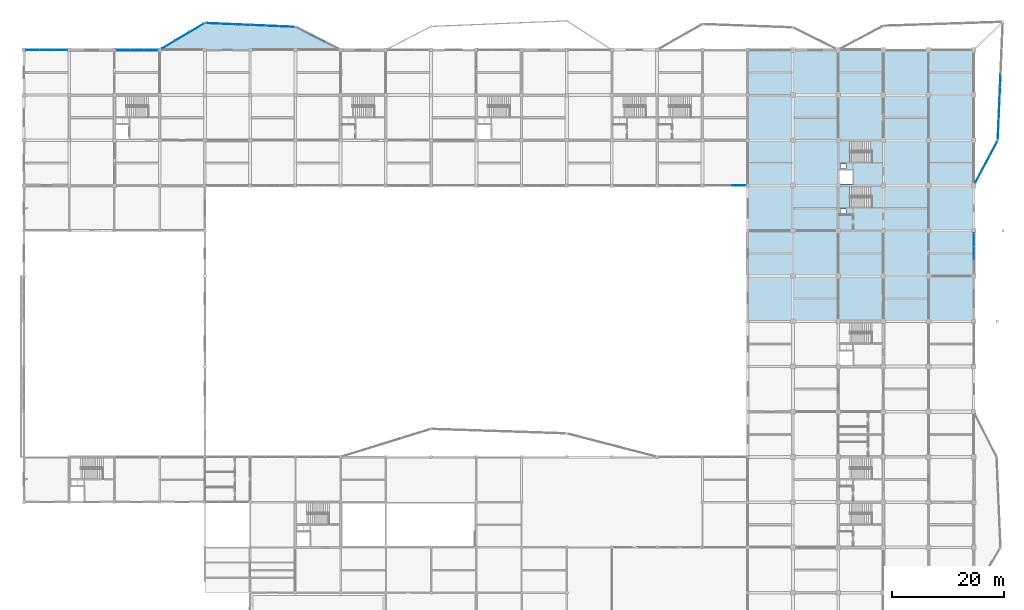
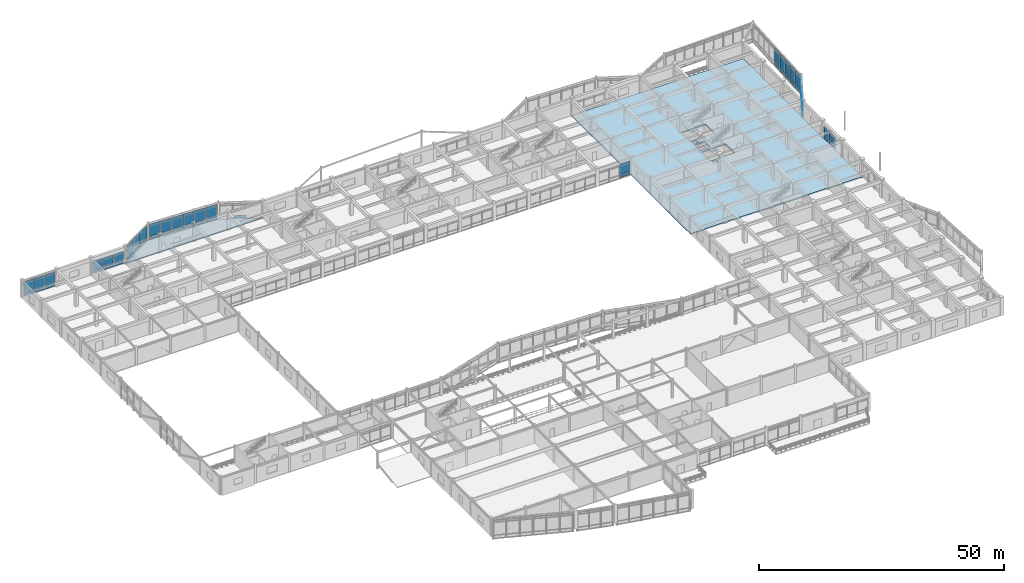
# One storey, part 56 of 93: 53 plates, 4 slabs, 13 elements without a shape of their own.
"""IFC4 building model written with IfcOpenShell, lengths in metres."""

from ifc_helpers import new_model, si_unit, direction, frame, origin, origin_2d, place, context, subcontext, project, spatial, polyline, rectangle, outline, extrude, material, layer, layer_set, type_object, element, aggregate, save


model = new_model("IFC4")

# Units and contexts
model_context = context("Model", 3, precision=1e-05, world=origin(), true_north=direction((0.0, 1.0)))
body_context = subcontext(model_context, "Body", "Model", "MODEL_VIEW")
ifc_project = project(units=[si_unit("LENGTHUNIT", "METRE"), si_unit("AREAUNIT", "SQUARE_METRE"), si_unit("VOLUMEUNIT", "CUBIC_METRE"), si_unit("PLANEANGLEUNIT", "RADIAN"), si_unit("MASSUNIT", "GRAM", prefix="KILO")], contexts=[model_context])

# Site, building, storey
site_placement = place(None, origin())
site = spatial("IfcSite", under=ifc_project, at=site_placement, CompositionType="ELEMENT")
building_placement = place(site_placement, origin())
building = spatial("IfcBuilding", under=site, at=building_placement, Name="Vaudrelin Polytechnic", CompositionType="ELEMENT")
storey_placement = place(building_placement, frame((0.0, 0.0, 5.10009765625)))
storey = spatial("IfcBuildingStorey", under=building, at=storey_placement, Name="L01", CompositionType="ELEMENT", Elevation=5.10009765625)

# Curtain wall, plates
ifc_material_1 = material(Name="Thermally broken anodised aluminium AA 6063-T6 and low-e triple glazing", Category="aluminium")
ifc_layer_1 = layer(ifc_material_1, 0.199951171875)
ifc_layer_set_1 = layer_set([ifc_layer_1], Name="Thermally broken anodised aluminium AA 6063-T6 and low-e triple glazing")
curtain_wall_type_1 = type_object("IfcCurtainWallType", Name="CW-CW-STU", PredefinedType="USERDEFINED", material=ifc_layer_set_1)
curtain_wall_1_placement = place(storey_placement, origin())
curtain_wall_1 = element("IfcCurtainWall", 1, at=curtain_wall_1_placement, inside=storey, type_object=curtain_wall_type_1, Name="Curtain wall L01 N_V5_00", ObjectType="CURTAIN WALL", PredefinedType="USERDEFINED")
ifc_material_2 = material(Name="Insulated ceramic-frit spandrel glass panel", Category="glass")
ifc_layer_2 = layer(ifc_material_2, 0.052001953125)
ifc_layer_set_2 = layer_set([ifc_layer_2], Name="Insulated ceramic-frit spandrel glass panel")
plate_type_1 = type_object("IfcPlateType", Name="PLT-GLZ-SPAND", PredefinedType="CURTAIN_PANEL", material=ifc_layer_set_2)
plate_1_placement = place(storey_placement, frame((1.565185546875, 121.5, 0.08984375), z_axis=(0.0, 0.0, 1.0), x_axis=(1.0, 0.0, 0.0)))
plate_1 = element("IfcPlate", 2, at=plate_1_placement, type_object=plate_type_1, Name="N_V5_00 spandrel panel 1", PredefinedType="CURTAIN_PANEL", context=body_context, shape_type="SweptSolid", body=[
    extrude(rectangle(XDim=2.384765625, YDim=0.052001953125, at=origin_2d()), origin(), (0.0, 0.0, 1.0), 0.699951171875),
])
plate_2_placement = place(storey_placement, frame((4.050048828125, 121.5, 0.08984375), z_axis=(0.0, 0.0, 1.0), x_axis=(1.0, 0.0, 0.0)))
plate_2 = element("IfcPlate", 3, at=plate_2_placement, type_object=plate_type_1, Name="N_V5_00 spandrel panel 2", PredefinedType="CURTAIN_PANEL", context=body_context, shape_type="SweptSolid", body=[
    extrude(rectangle(XDim=2.384765625, YDim=0.052001953125, at=origin_2d()), origin(), (0.0, 0.0, 1.0), 0.699951171875),
])
plate_3_placement = place(storey_placement, frame((6.53466796875, 121.5, 0.08984375), z_axis=(0.0, 0.0, 1.0), x_axis=(1.0, 0.0, 0.0)))
plate_3 = element("IfcPlate", 4, at=plate_3_placement, type_object=plate_type_1, Name="N_V5_00 spandrel panel 3", PredefinedType="CURTAIN_PANEL", context=body_context, shape_type="SweptSolid", body=[
    extrude(rectangle(XDim=2.384765625, YDim=0.052001953125, at=origin_2d()), origin(), (0.0, 0.0, 1.0), 0.699951171875),
])

curtain_wall_2_placement = place(storey_placement, origin())
curtain_wall_2 = element("IfcCurtainWall", 5, at=curtain_wall_2_placement, inside=storey, type_object=curtain_wall_type_1, Name="Curtain wall L01 N_V5_02", ObjectType="CURTAIN WALL", PredefinedType="USERDEFINED")
plate_4_placement = place(storey_placement, frame((17.765380859375, 121.5, 0.08984375), z_axis=(0.0, 0.0, 1.0), x_axis=(1.0, 0.0, 0.0)))
plate_4 = element("IfcPlate", 6, at=plate_4_placement, type_object=plate_type_1, Name="N_V5_02 spandrel panel 1", PredefinedType="CURTAIN_PANEL", context=body_context, shape_type="SweptSolid", body=[
    extrude(rectangle(XDim=2.384765625, YDim=0.052001953125, at=origin_2d()), origin(), (0.0, 0.0, 1.0), 0.699951171875),
])
plate_5_placement = place(storey_placement, frame((20.25, 121.5, 0.08984375), z_axis=(0.0, 0.0, 1.0), x_axis=(1.0, 0.0, 0.0)))
plate_5 = element("IfcPlate", 7, at=plate_5_placement, type_object=plate_type_1, Name="N_V5_02 spandrel panel 2", PredefinedType="CURTAIN_PANEL", context=body_context, shape_type="SweptSolid", body=[
    extrude(rectangle(XDim=2.384765625, YDim=0.052001953125, at=origin_2d()), origin(), (0.0, 0.0, 1.0), 0.699951171875),
])
plate_6_placement = place(storey_placement, frame((22.734619140625, 121.5, 0.08984375), z_axis=(0.0, 0.0, 1.0), x_axis=(1.0, 0.0, 0.0)))
plate_6 = element("IfcPlate", 8, at=plate_6_placement, type_object=plate_type_1, Name="N_V5_02 spandrel panel 3", PredefinedType="CURTAIN_PANEL", context=body_context, shape_type="SweptSolid", body=[
    extrude(rectangle(XDim=2.384765625, YDim=0.052001953125, at=origin_2d()), origin(), (0.0, 0.0, 1.0), 0.699951171875),
])

ifc_layer_3 = layer(ifc_material_1, 0.199951171875)
ifc_layer_set_3 = layer_set([ifc_layer_3], Name="Thermally broken anodised aluminium AA 6063-T6 and low-e triple glazing")
curtain_wall_type_2 = type_object("IfcCurtainWallType", Name="CW-CW-LAB", PredefinedType="USERDEFINED", material=ifc_layer_set_3)
curtain_wall_3_placement = place(storey_placement, origin())
curtain_wall_3 = element("IfcCurtainWall", 9, at=curtain_wall_3_placement, inside=storey, type_object=curtain_wall_type_2, Name="Curtain wall L01 E_V4_08", ObjectType="CURTAIN WALL", PredefinedType="USERDEFINED")
plate_7_placement = place(storey_placement, frame((170.10009765625, 85.050048828125, 0.08984375), z_axis=(0.0, 0.0, 1.0), x_axis=(0.0, 1.0, 0.0)))
plate_7 = element("IfcPlate", 10, at=plate_7_placement, type_object=plate_type_1, Name="E_V4_08 spandrel panel 2", PredefinedType="CURTAIN_PANEL", context=body_context, shape_type="SweptSolid", body=[
    extrude(rectangle(XDim=2.318115234375, YDim=0.052001953125, at=origin_2d()), origin(), (0.0, 0.0, 1.0), 0.699951171875),
])
plate_8_placement = place(storey_placement, frame((170.10009765625, 87.468017578125, 0.08984375), z_axis=(0.0, 0.0, 1.0), x_axis=(0.0, 1.0, 0.0)))
plate_8 = element("IfcPlate", 11, at=plate_8_placement, type_object=plate_type_1, Name="E_V4_08 spandrel panel 3", PredefinedType="CURTAIN_PANEL", context=body_context, shape_type="SweptSolid", body=[
    extrude(rectangle(XDim=2.318115234375, YDim=0.052001953125, at=origin_2d()), origin(), (0.0, 0.0, 1.0), 0.699951171875),
])

# Curtain wall, plate
ifc_layer_4 = layer(ifc_material_1, 0.199951171875)
ifc_layer_set_4 = layer_set([ifc_layer_4], Name="Thermally broken anodised aluminium AA 6063-T6 and low-e triple glazing")
curtain_wall_type_3 = type_object("IfcCurtainWallType", Name="CW-CW-LIB", PredefinedType="USERDEFINED", material=ifc_layer_set_4)
curtain_wall_4_placement = place(storey_placement, origin())
curtain_wall_4 = element("IfcCurtainWall", 12, at=curtain_wall_4_placement, inside=storey, type_object=curtain_wall_type_3, Name="Curtain wall L01 CT_N_11", ObjectType="CURTAIN WALL", PredefinedType="USERDEFINED")
plate_9_placement = place(storey_placement, frame((128.03466796875, 97.199951171875, 0.08984375), z_axis=(0.0, 0.0, 1.0), x_axis=(1.0, 0.0, 0.0)))
plate_9 = element("IfcPlate", 13, at=plate_9_placement, type_object=plate_type_1, Name="CT_N_11 spandrel panel 3", PredefinedType="CURTAIN_PANEL", context=body_context, shape_type="SweptSolid", body=[
    extrude(rectangle(XDim=2.384765625, YDim=0.052001953125, at=origin_2d()), origin(), (0.0, 0.0, 1.0), 0.699951171875),
])

# Curtain wall, plates
curtain_wall_5_placement = place(storey_placement, origin())
curtain_wall_5 = element("IfcCurtainWall", 14, at=curtain_wall_5_placement, inside=storey, type_object=curtain_wall_type_2, Name="Curtain wall L01 NEP_3_1", ObjectType="CURTAIN WALL", PredefinedType="USERDEFINED")
plate_10_placement = place(storey_placement, frame((174.84912109375, 115.874755859375, -0.5400390625), z_axis=(0.0, 0.0, 1.0), x_axis=(-0.042405411318, -0.999100485983, 0.0)))
plate_10 = element("IfcPlate", 15, at=plate_10_placement, type_object=plate_type_1, Name="NEP_3_1 spandrel panel 2", PredefinedType="CURTAIN_PANEL", context=body_context, shape_type="SweptSolid", body=[
    extrude(rectangle(XDim=2.19921875, YDim=0.052001953125, at=origin_2d()), origin(), (0.0, 0.0, 1.0), 0.699951171875),
])
plate_11_placement = place(storey_placement, frame((174.75146484375, 113.577392578125, -0.5400390625), z_axis=(0.0, 0.0, 1.0), x_axis=(-0.042405411318, -0.999100485983, 0.0)))
plate_11 = element("IfcPlate", 16, at=plate_11_placement, type_object=plate_type_1, Name="NEP_3_1 spandrel panel 3", PredefinedType="CURTAIN_PANEL", context=body_context, shape_type="SweptSolid", body=[
    extrude(rectangle(XDim=2.19921875, YDim=0.052001953125, at=origin_2d()), origin(), (0.0, 0.0, 1.0), 0.699951171875),
])

curtain_wall_6_placement = place(storey_placement, origin())
curtain_wall_6 = element("IfcCurtainWall", 17, at=curtain_wall_6_placement, inside=storey, type_object=curtain_wall_type_2, Name="Curtain wall L01 NEP_3_2", ObjectType="CURTAIN WALL", PredefinedType="USERDEFINED")
plate_12_placement = place(storey_placement, frame((174.65380859375, 111.2802734375, -0.5400390625), z_axis=(0.0, 0.0, 1.0), x_axis=(-0.042419882824, -0.999099871655, 0.0)))
plate_12 = element("IfcPlate", 18, at=plate_12_placement, type_object=plate_type_1, Name="NEP_3_2 spandrel panel 1", PredefinedType="CURTAIN_PANEL", context=body_context, shape_type="SweptSolid", body=[
    extrude(rectangle(XDim=2.19921875, YDim=0.052001953125, at=origin_2d()), origin(), (0.0, 0.0, 1.0), 0.699951171875),
])
plate_13_placement = place(storey_placement, frame((174.556396484375, 108.983154296875, -0.5400390625), z_axis=(0.0, 0.0, 1.0), x_axis=(-0.042419882824, -0.999099871655, 0.0)))
plate_13 = element("IfcPlate", 19, at=plate_13_placement, type_object=plate_type_1, Name="NEP_3_2 spandrel panel 2", PredefinedType="CURTAIN_PANEL", context=body_context, shape_type="SweptSolid", body=[
    extrude(rectangle(XDim=2.19921875, YDim=0.052001953125, at=origin_2d()), origin(), (0.0, 0.0, 1.0), 0.699951171875),
])
plate_14_placement = place(storey_placement, frame((174.458984375, 106.68603515625, -0.5400390625), z_axis=(0.0, 0.0, 1.0), x_axis=(-0.042419882824, -0.999099871655, 0.0)))
plate_14 = element("IfcPlate", 20, at=plate_14_placement, type_object=plate_type_1, Name="NEP_3_2 spandrel panel 3", PredefinedType="CURTAIN_PANEL", context=body_context, shape_type="SweptSolid", body=[
    extrude(rectangle(XDim=2.19921875, YDim=0.052001953125, at=origin_2d()), origin(), (0.0, 0.0, 1.0), 0.699951171875),
])

curtain_wall_7_placement = place(storey_placement, origin())
curtain_wall_7 = element("IfcCurtainWall", 21, at=curtain_wall_7_placement, inside=storey, type_object=curtain_wall_type_2, Name="Curtain wall L01 NEP_4_0", ObjectType="CURTAIN WALL", PredefinedType="USERDEFINED")
plate_15_placement = place(storey_placement, frame((173.626953125, 103.84375, -0.5400390625), z_axis=(0.0, 0.0, 1.0), x_axis=(-0.468890369298, -0.883256373642, 0.0)))
plate_15 = element("IfcPlate", 22, at=plate_15_placement, type_object=plate_type_1, Name="NEP_4_0 spandrel panel 1", PredefinedType="CURTAIN_PANEL", context=body_context, shape_type="SweptSolid", body=[
    extrude(rectangle(XDim=2.68212890625, YDim=0.052001953125, at=origin_2d()), origin(), (0.0, 0.0, 1.0), 0.699951171875),
])
plate_16_placement = place(storey_placement, frame((172.322509765625, 101.38623046875, -0.5400390625), z_axis=(0.0, 0.0, 1.0), x_axis=(-0.468890369298, -0.883256373642, 0.0)))
plate_16 = element("IfcPlate", 23, at=plate_16_placement, type_object=plate_type_1, Name="NEP_4_0 spandrel panel 2", PredefinedType="CURTAIN_PANEL", context=body_context, shape_type="SweptSolid", body=[
    extrude(rectangle(XDim=2.68212890625, YDim=0.052001953125, at=origin_2d()), origin(), (0.0, 0.0, 1.0), 0.699951171875),
])
plate_17_placement = place(storey_placement, frame((171.017822265625, 98.9287109375, -0.5400390625), z_axis=(0.0, 0.0, 1.0), x_axis=(-0.468890369298, -0.883256373642, 0.0)))
plate_17 = element("IfcPlate", 24, at=plate_17_placement, type_object=plate_type_1, Name="NEP_4_0 spandrel panel 3", PredefinedType="CURTAIN_PANEL", context=body_context, shape_type="SweptSolid", body=[
    extrude(rectangle(XDim=2.68212890625, YDim=0.052001953125, at=origin_2d()), origin(), (0.0, 0.0, 1.0), 0.699951171875),
])

curtain_wall_8_placement = place(storey_placement, origin())
curtain_wall_8 = element("IfcCurtainWall", 25, at=curtain_wall_8_placement, inside=storey, type_object=curtain_wall_type_1, Name="Curtain wall L01 N_OR1_1_0", ObjectType="CURTAIN WALL", PredefinedType="USERDEFINED")
plate_18_placement = place(storey_placement, frame((25.944091796875, 122.474365234375, 0.08984375), z_axis=(0.0, 0.0, 1.0), x_axis=(0.860291533635, 0.509802390301, 0.0)))
plate_18 = element("IfcPlate", 26, at=plate_18_placement, type_object=plate_type_1, Name="N_OR1_1_0 spandrel panel 1", PredefinedType="CURTAIN_PANEL", context=body_context, shape_type="SweptSolid", body=[
    extrude(rectangle(XDim=2.796875, YDim=0.052001953125, at=origin_2d()), origin(), (0.0, 0.0, 1.0), 0.699951171875),
])
plate_19_placement = place(storey_placement, frame((28.436279296875, 123.951171875, 0.08984375), z_axis=(0.0, 0.0, 1.0), x_axis=(0.860291533635, 0.509802390301, 0.0)))
plate_19 = element("IfcPlate", 27, at=plate_19_placement, type_object=plate_type_1, Name="N_OR1_1_0 spandrel panel 2", PredefinedType="CURTAIN_PANEL", context=body_context, shape_type="SweptSolid", body=[
    extrude(rectangle(XDim=2.796875, YDim=0.052001953125, at=origin_2d()), origin(), (0.0, 0.0, 1.0), 0.699951171875),
])
plate_20_placement = place(storey_placement, frame((30.92822265625, 125.427978515625, 0.08984375), z_axis=(0.0, 0.0, 1.0), x_axis=(0.860291533635, 0.509802390301, 0.0)))
plate_20 = element("IfcPlate", 28, at=plate_20_placement, type_object=plate_type_1, Name="N_OR1_1_0 spandrel panel 3", PredefinedType="CURTAIN_PANEL", context=body_context, shape_type="SweptSolid", body=[
    extrude(rectangle(XDim=2.796875, YDim=0.052001953125, at=origin_2d()), origin(), (0.0, 0.0, 1.0), 0.699951171875),
])

curtain_wall_9_placement = place(storey_placement, origin())
curtain_wall_9 = element("IfcCurtainWall", 29, at=curtain_wall_9_placement, inside=storey, type_object=curtain_wall_type_1, Name="Curtain wall L01 N_OR1_2_0", ObjectType="CURTAIN WALL", PredefinedType="USERDEFINED")
plate_21_placement = place(storey_placement, frame((33.94775390625, 126.233154296875, 0.08984375), z_axis=(0.0, 0.0, 1.0), x_axis=(0.99906798854, -0.043164270821, 0.0)))
plate_21 = element("IfcPlate", 30, at=plate_21_placement, type_object=plate_type_1, Name="N_OR1_2_0 spandrel panel 1", PredefinedType="CURTAIN_PANEL", context=body_context, shape_type="SweptSolid", body=[
    extrude(rectangle(XDim=2.523193359375, YDim=0.052001953125, at=origin_2d()), origin(), (0.0, 0.0, 1.0), 0.699951171875),
])
plate_22_placement = place(storey_placement, frame((36.568603515625, 126.119873046875, 0.08984375), z_axis=(0.0, 0.0, 1.0), x_axis=(0.99906798854, -0.043164270821, 0.0)))
plate_22 = element("IfcPlate", 31, at=plate_22_placement, type_object=plate_type_1, Name="N_OR1_2_0 spandrel panel 2", PredefinedType="CURTAIN_PANEL", context=body_context, shape_type="SweptSolid", body=[
    extrude(rectangle(XDim=2.523193359375, YDim=0.052001953125, at=origin_2d()), origin(), (0.0, 0.0, 1.0), 0.699951171875),
])
plate_23_placement = place(storey_placement, frame((39.189697265625, 126.006591796875, 0.08984375), z_axis=(0.0, 0.0, 1.0), x_axis=(0.99906798854, -0.043164270821, 0.0)))
plate_23 = element("IfcPlate", 32, at=plate_23_placement, type_object=plate_type_1, Name="N_OR1_2_0 spandrel panel 3", PredefinedType="CURTAIN_PANEL", context=body_context, shape_type="SweptSolid", body=[
    extrude(rectangle(XDim=2.523193359375, YDim=0.052001953125, at=origin_2d()), origin(), (0.0, 0.0, 1.0), 0.699951171875),
])

curtain_wall_10_placement = place(storey_placement, origin())
curtain_wall_10 = element("IfcCurtainWall", 33, at=curtain_wall_10_placement, inside=storey, type_object=curtain_wall_type_1, Name="Curtain wall L01 N_OR1_2_1", ObjectType="CURTAIN WALL", PredefinedType="USERDEFINED")
plate_24_placement = place(storey_placement, frame((41.810302734375, 125.893310546875, 0.08984375), z_axis=(0.0, 0.0, 1.0), x_axis=(0.99906798854, -0.043164270821, 0.0)))
plate_24 = element("IfcPlate", 34, at=plate_24_placement, type_object=plate_type_1, Name="N_OR1_2_1 spandrel panel 1", PredefinedType="CURTAIN_PANEL", context=body_context, shape_type="SweptSolid", body=[
    extrude(rectangle(XDim=2.523193359375, YDim=0.052001953125, at=origin_2d()), origin(), (0.0, 0.0, 1.0), 0.699951171875),
])
plate_25_placement = place(storey_placement, frame((44.431396484375, 125.780029296875, 0.08984375), z_axis=(0.0, 0.0, 1.0), x_axis=(0.99906798854, -0.043164270821, 0.0)))
plate_25 = element("IfcPlate", 35, at=plate_25_placement, type_object=plate_type_1, Name="N_OR1_2_1 spandrel panel 2", PredefinedType="CURTAIN_PANEL", context=body_context, shape_type="SweptSolid", body=[
    extrude(rectangle(XDim=2.523193359375, YDim=0.052001953125, at=origin_2d()), origin(), (0.0, 0.0, 1.0), 0.699951171875),
])
plate_26_placement = place(storey_placement, frame((47.05224609375, 125.6669921875, 0.08984375), z_axis=(0.0, 0.0, 1.0), x_axis=(0.99906798854, -0.043164270821, 0.0)))
plate_26 = element("IfcPlate", 36, at=plate_26_placement, type_object=plate_type_1, Name="N_OR1_2_1 spandrel panel 3", PredefinedType="CURTAIN_PANEL", context=body_context, shape_type="SweptSolid", body=[
    extrude(rectangle(XDim=2.523193359375, YDim=0.052001953125, at=origin_2d()), origin(), (0.0, 0.0, 1.0), 0.699951171875),
])

# Curtain wall, plate
curtain_wall_11_placement = place(storey_placement, origin())
curtain_wall_11 = element("IfcCurtainWall", 37, at=curtain_wall_11_placement, inside=storey, type_object=curtain_wall_type_1, Name="Curtain wall L01 N_OR1_3_0", ObjectType="CURTAIN WALL", PredefinedType="USERDEFINED")
plate_27_placement = place(storey_placement, frame((52.563720703125, 123.593505859375, 0.08984375), z_axis=(0.0, 0.0, 1.0), x_axis=(0.892216550993, -0.451607823375, 0.0)))
plate_27 = element("IfcPlate", 38, at=plate_27_placement, type_object=plate_type_1, Name="N_OR1_3_0 spandrel panel 2", PredefinedType="CURTAIN_PANEL", context=body_context, shape_type="SweptSolid", body=[
    extrude(rectangle(XDim=2.691162109375, YDim=0.052001953125, at=origin_2d()), origin(), (0.0, 0.0, 1.0), 0.699951171875),
])
aggregate(curtain_wall_11, [plate_27])

# Plate
ifc_material_3 = material(Name="Triple low-e argon insulated glazing unit", Category="glass")
ifc_layer_5 = layer(ifc_material_3, 0.0439453125)
ifc_layer_set_5 = layer_set([ifc_layer_5], Name="Triple low-e argon insulated glazing unit")
plate_type_2 = type_object("IfcPlateType", Name="PLT-GLZ-TRIPLE", PredefinedType="CURTAIN_PANEL", material=ifc_layer_set_5)
plate_28_placement = place(storey_placement, frame((1.565185546875, 121.5, 0.89990234375), z_axis=(0.0, 0.0, 1.0), x_axis=(1.0, 0.0, 0.0)))
plate_28 = element("IfcPlate", 39, at=plate_28_placement, type_object=plate_type_2, Name="N_V5_00 vision panel 1", PredefinedType="CURTAIN_PANEL", context=body_context, shape_type="SweptSolid", body=[
    extrude(rectangle(XDim=2.384765625, YDim=0.0439453125, at=origin_2d()), origin(), (0.0, 0.0, 1.0), 2.8369140625),
])

plate_29_placement = place(storey_placement, frame((4.050048828125, 121.5, 0.89990234375), z_axis=(0.0, 0.0, 1.0), x_axis=(1.0, 0.0, 0.0)))
plate_29 = element("IfcPlate", 40, at=plate_29_placement, type_object=plate_type_2, Name="N_V5_00 vision panel 2", PredefinedType="CURTAIN_PANEL", context=body_context, shape_type="SweptSolid", body=[
    extrude(rectangle(XDim=2.384765625, YDim=0.0439453125, at=origin_2d()), origin(), (0.0, 0.0, 1.0), 2.8369140625),
])

plate_30_placement = place(storey_placement, frame((6.53466796875, 121.5, 0.89990234375), z_axis=(0.0, 0.0, 1.0), x_axis=(1.0, 0.0, 0.0)))
plate_30 = element("IfcPlate", 41, at=plate_30_placement, type_object=plate_type_2, Name="N_V5_00 vision panel 3", PredefinedType="CURTAIN_PANEL", context=body_context, shape_type="SweptSolid", body=[
    extrude(rectangle(XDim=2.384765625, YDim=0.0439453125, at=origin_2d()), origin(), (0.0, 0.0, 1.0), 2.8369140625),
])

aggregate(curtain_wall_1, [plate_1, plate_28, plate_2, plate_29, plate_3, plate_30])

plate_31_placement = place(storey_placement, frame((17.765380859375, 121.5, 0.89990234375), z_axis=(0.0, 0.0, 1.0), x_axis=(1.0, 0.0, 0.0)))
plate_31 = element("IfcPlate", 42, at=plate_31_placement, type_object=plate_type_2, Name="N_V5_02 vision panel 1", PredefinedType="CURTAIN_PANEL", context=body_context, shape_type="SweptSolid", body=[
    extrude(rectangle(XDim=2.384765625, YDim=0.0439453125, at=origin_2d()), origin(), (0.0, 0.0, 1.0), 2.302001953125),
])

plate_32_placement = place(storey_placement, frame((20.25, 121.5, 0.89990234375), z_axis=(0.0, 0.0, 1.0), x_axis=(1.0, 0.0, 0.0)))
plate_32 = element("IfcPlate", 43, at=plate_32_placement, type_object=plate_type_2, Name="N_V5_02 vision panel 2", PredefinedType="CURTAIN_PANEL", context=body_context, shape_type="SweptSolid", body=[
    extrude(rectangle(XDim=2.384765625, YDim=0.0439453125, at=origin_2d()), origin(), (0.0, 0.0, 1.0), 2.302001953125),
])

plate_33_placement = place(storey_placement, frame((22.734619140625, 121.5, 0.89990234375), z_axis=(0.0, 0.0, 1.0), x_axis=(1.0, 0.0, 0.0)))
plate_33 = element("IfcPlate", 44, at=plate_33_placement, type_object=plate_type_2, Name="N_V5_02 vision panel 3", PredefinedType="CURTAIN_PANEL", context=body_context, shape_type="SweptSolid", body=[
    extrude(rectangle(XDim=2.384765625, YDim=0.0439453125, at=origin_2d()), origin(), (0.0, 0.0, 1.0), 2.302001953125),
])

aggregate(curtain_wall_2, [plate_4, plate_31, plate_5, plate_32, plate_6, plate_33])

plate_34_placement = place(storey_placement, frame((170.10009765625, 85.050048828125, 0.89990234375), z_axis=(0.0, 0.0, 1.0), x_axis=(0.0, 1.0, 0.0)))
plate_34 = element("IfcPlate", 45, at=plate_34_placement, type_object=plate_type_2, Name="E_V4_08 vision panel 2", PredefinedType="CURTAIN_PANEL", context=body_context, shape_type="SweptSolid", body=[
    extrude(rectangle(XDim=2.318115234375, YDim=0.0439453125, at=origin_2d()), origin(), (0.0, 0.0, 1.0), 2.362060546875),
])

plate_35_placement = place(storey_placement, frame((170.10009765625, 87.468017578125, 0.89990234375), z_axis=(0.0, 0.0, 1.0), x_axis=(0.0, 1.0, 0.0)))
plate_35 = element("IfcPlate", 46, at=plate_35_placement, type_object=plate_type_2, Name="E_V4_08 vision panel 3", PredefinedType="CURTAIN_PANEL", context=body_context, shape_type="SweptSolid", body=[
    extrude(rectangle(XDim=2.318115234375, YDim=0.0439453125, at=origin_2d()), origin(), (0.0, 0.0, 1.0), 2.362060546875),
])

aggregate(curtain_wall_3, [plate_7, plate_34, plate_8, plate_35])

plate_36_placement = place(storey_placement, frame((128.03466796875, 97.199951171875, 0.89990234375), z_axis=(0.0, 0.0, 1.0), x_axis=(1.0, 0.0, 0.0)))
plate_36 = element("IfcPlate", 47, at=plate_36_placement, type_object=plate_type_2, Name="CT_N_11 vision panel 3", PredefinedType="CURTAIN_PANEL", context=body_context, shape_type="SweptSolid", body=[
    extrude(rectangle(XDim=2.384765625, YDim=0.0439453125, at=origin_2d()), origin(), (0.0, 0.0, 1.0), 2.60205078125),
])

aggregate(curtain_wall_4, [plate_9, plate_36])

plate_37_placement = place(storey_placement, frame((174.84912109375, 115.874755859375, 0.27001953125), z_axis=(0.0, 0.0, 1.0), x_axis=(-0.042405411318, -0.999100485983, 0.0)))
plate_37 = element("IfcPlate", 48, at=plate_37_placement, type_object=plate_type_2, Name="NEP_3_1 vision panel 2", PredefinedType="CURTAIN_PANEL", context=body_context, shape_type="SweptSolid", body=[
    extrude(rectangle(XDim=2.19921875, YDim=0.0439453125, at=origin_2d()), origin(), (0.0, 0.0, 1.0), 3.610107421875),
])

plate_38_placement = place(storey_placement, frame((174.75146484375, 113.577392578125, 0.27001953125), z_axis=(0.0, 0.0, 1.0), x_axis=(-0.042405411318, -0.999100485983, 0.0)))
plate_38 = element("IfcPlate", 49, at=plate_38_placement, type_object=plate_type_2, Name="NEP_3_1 vision panel 3", PredefinedType="CURTAIN_PANEL", context=body_context, shape_type="SweptSolid", body=[
    extrude(rectangle(XDim=2.19921875, YDim=0.0439453125, at=origin_2d()), origin(), (0.0, 0.0, 1.0), 3.610107421875),
])

aggregate(curtain_wall_5, [plate_10, plate_37, plate_11, plate_38])

plate_39_placement = place(storey_placement, frame((174.65380859375, 111.2802734375, 0.27001953125), z_axis=(0.0, 0.0, 1.0), x_axis=(-0.042419882824, -0.999099871655, 0.0)))
plate_39 = element("IfcPlate", 50, at=plate_39_placement, type_object=plate_type_2, Name="NEP_3_2 vision panel 1", PredefinedType="CURTAIN_PANEL", context=body_context, shape_type="SweptSolid", body=[
    extrude(rectangle(XDim=2.19921875, YDim=0.0439453125, at=origin_2d()), origin(), (0.0, 0.0, 1.0), 3.610107421875),
])

plate_40_placement = place(storey_placement, frame((174.556396484375, 108.983154296875, 0.27001953125), z_axis=(0.0, 0.0, 1.0), x_axis=(-0.042419882824, -0.999099871655, 0.0)))
plate_40 = element("IfcPlate", 51, at=plate_40_placement, type_object=plate_type_2, Name="NEP_3_2 vision panel 2", PredefinedType="CURTAIN_PANEL", context=body_context, shape_type="SweptSolid", body=[
    extrude(rectangle(XDim=2.19921875, YDim=0.0439453125, at=origin_2d()), origin(), (0.0, 0.0, 1.0), 3.610107421875),
])

plate_41_placement = place(storey_placement, frame((174.458984375, 106.68603515625, 0.27001953125), z_axis=(0.0, 0.0, 1.0), x_axis=(-0.042419882824, -0.999099871655, 0.0)))
plate_41 = element("IfcPlate", 52, at=plate_41_placement, type_object=plate_type_2, Name="NEP_3_2 vision panel 3", PredefinedType="CURTAIN_PANEL", context=body_context, shape_type="SweptSolid", body=[
    extrude(rectangle(XDim=2.19921875, YDim=0.0439453125, at=origin_2d()), origin(), (0.0, 0.0, 1.0), 3.610107421875),
])

aggregate(curtain_wall_6, [plate_12, plate_39, plate_13, plate_40, plate_14, plate_41])

plate_42_placement = place(storey_placement, frame((173.626953125, 103.84375, 0.27001953125), z_axis=(0.0, 0.0, 1.0), x_axis=(-0.468890369298, -0.883256373642, 0.0)))
plate_42 = element("IfcPlate", 53, at=plate_42_placement, type_object=plate_type_2, Name="NEP_4_0 vision panel 1", PredefinedType="CURTAIN_PANEL", context=body_context, shape_type="SweptSolid", body=[
    extrude(rectangle(XDim=2.68212890625, YDim=0.0439453125, at=origin_2d()), origin(), (0.0, 0.0, 1.0), 3.610107421875),
])

plate_43_placement = place(storey_placement, frame((172.322509765625, 101.38623046875, 0.27001953125), z_axis=(0.0, 0.0, 1.0), x_axis=(-0.468890369298, -0.883256373642, 0.0)))
plate_43 = element("IfcPlate", 54, at=plate_43_placement, type_object=plate_type_2, Name="NEP_4_0 vision panel 2", PredefinedType="CURTAIN_PANEL", context=body_context, shape_type="SweptSolid", body=[
    extrude(rectangle(XDim=2.68212890625, YDim=0.0439453125, at=origin_2d()), origin(), (0.0, 0.0, 1.0), 3.610107421875),
])

plate_44_placement = place(storey_placement, frame((171.017822265625, 98.9287109375, 0.27001953125), z_axis=(0.0, 0.0, 1.0), x_axis=(-0.468890369298, -0.883256373642, 0.0)))
plate_44 = element("IfcPlate", 55, at=plate_44_placement, type_object=plate_type_2, Name="NEP_4_0 vision panel 3", PredefinedType="CURTAIN_PANEL", context=body_context, shape_type="SweptSolid", body=[
    extrude(rectangle(XDim=2.68212890625, YDim=0.0439453125, at=origin_2d()), origin(), (0.0, 0.0, 1.0), 3.610107421875),
])

aggregate(curtain_wall_7, [plate_15, plate_42, plate_16, plate_43, plate_17, plate_44])

plate_45_placement = place(storey_placement, frame((25.944091796875, 122.474365234375, 0.89990234375), z_axis=(0.0, 0.0, 1.0), x_axis=(0.860291533635, 0.509802390301, 0.0)))
plate_45 = element("IfcPlate", 56, at=plate_45_placement, type_object=plate_type_2, Name="N_OR1_1_0 vision panel 1", PredefinedType="CURTAIN_PANEL", context=body_context, shape_type="SweptSolid", body=[
    extrude(rectangle(XDim=2.796875, YDim=0.0439453125, at=origin_2d()), origin(), (0.0, 0.0, 1.0), 2.97998046875),
])

plate_46_placement = place(storey_placement, frame((28.436279296875, 123.951171875, 0.89990234375), z_axis=(0.0, 0.0, 1.0), x_axis=(0.860291533635, 0.509802390301, 0.0)))
plate_46 = element("IfcPlate", 57, at=plate_46_placement, type_object=plate_type_2, Name="N_OR1_1_0 vision panel 2", PredefinedType="CURTAIN_PANEL", context=body_context, shape_type="SweptSolid", body=[
    extrude(rectangle(XDim=2.796875, YDim=0.0439453125, at=origin_2d()), origin(), (0.0, 0.0, 1.0), 2.97998046875),
])

plate_47_placement = place(storey_placement, frame((30.92822265625, 125.427978515625, 0.89990234375), z_axis=(0.0, 0.0, 1.0), x_axis=(0.860291533635, 0.509802390301, 0.0)))
plate_47 = element("IfcPlate", 58, at=plate_47_placement, type_object=plate_type_2, Name="N_OR1_1_0 vision panel 3", PredefinedType="CURTAIN_PANEL", context=body_context, shape_type="SweptSolid", body=[
    extrude(rectangle(XDim=2.796875, YDim=0.0439453125, at=origin_2d()), origin(), (0.0, 0.0, 1.0), 2.97998046875),
])

aggregate(curtain_wall_8, [plate_18, plate_45, plate_19, plate_46, plate_20, plate_47])

plate_48_placement = place(storey_placement, frame((33.94775390625, 126.233154296875, 0.89990234375), z_axis=(0.0, 0.0, 1.0), x_axis=(0.99906798854, -0.043164270821, 0.0)))
plate_48 = element("IfcPlate", 59, at=plate_48_placement, type_object=plate_type_2, Name="N_OR1_2_0 vision panel 1", PredefinedType="CURTAIN_PANEL", context=body_context, shape_type="SweptSolid", body=[
    extrude(rectangle(XDim=2.523193359375, YDim=0.0439453125, at=origin_2d()), origin(), (0.0, 0.0, 1.0), 2.97998046875),
])

plate_49_placement = place(storey_placement, frame((36.568603515625, 126.119873046875, 0.89990234375), z_axis=(0.0, 0.0, 1.0), x_axis=(0.99906798854, -0.043164270821, 0.0)))
plate_49 = element("IfcPlate", 60, at=plate_49_placement, type_object=plate_type_2, Name="N_OR1_2_0 vision panel 2", PredefinedType="CURTAIN_PANEL", context=body_context, shape_type="SweptSolid", body=[
    extrude(rectangle(XDim=2.523193359375, YDim=0.0439453125, at=origin_2d()), origin(), (0.0, 0.0, 1.0), 2.97998046875),
])

plate_50_placement = place(storey_placement, frame((39.189697265625, 126.006591796875, 0.89990234375), z_axis=(0.0, 0.0, 1.0), x_axis=(0.99906798854, -0.043164270821, 0.0)))
plate_50 = element("IfcPlate", 61, at=plate_50_placement, type_object=plate_type_2, Name="N_OR1_2_0 vision panel 3", PredefinedType="CURTAIN_PANEL", context=body_context, shape_type="SweptSolid", body=[
    extrude(rectangle(XDim=2.523193359375, YDim=0.0439453125, at=origin_2d()), origin(), (0.0, 0.0, 1.0), 2.97998046875),
])

aggregate(curtain_wall_9, [plate_21, plate_48, plate_22, plate_49, plate_23, plate_50])

plate_51_placement = place(storey_placement, frame((41.810302734375, 125.893310546875, 0.89990234375), z_axis=(0.0, 0.0, 1.0), x_axis=(0.99906798854, -0.043164270821, 0.0)))
plate_51 = element("IfcPlate", 62, at=plate_51_placement, type_object=plate_type_2, Name="N_OR1_2_1 vision panel 1", PredefinedType="CURTAIN_PANEL", context=body_context, shape_type="SweptSolid", body=[
    extrude(rectangle(XDim=2.523193359375, YDim=0.0439453125, at=origin_2d()), origin(), (0.0, 0.0, 1.0), 2.97998046875),
])

plate_52_placement = place(storey_placement, frame((44.431396484375, 125.780029296875, 0.89990234375), z_axis=(0.0, 0.0, 1.0), x_axis=(0.99906798854, -0.043164270821, 0.0)))
plate_52 = element("IfcPlate", 63, at=plate_52_placement, type_object=plate_type_2, Name="N_OR1_2_1 vision panel 2", PredefinedType="CURTAIN_PANEL", context=body_context, shape_type="SweptSolid", body=[
    extrude(rectangle(XDim=2.523193359375, YDim=0.0439453125, at=origin_2d()), origin(), (0.0, 0.0, 1.0), 2.97998046875),
])

plate_53_placement = place(storey_placement, frame((47.05224609375, 125.6669921875, 0.89990234375), z_axis=(0.0, 0.0, 1.0), x_axis=(0.99906798854, -0.043164270821, 0.0)))
plate_53 = element("IfcPlate", 64, at=plate_53_placement, type_object=plate_type_2, Name="N_OR1_2_1 vision panel 3", PredefinedType="CURTAIN_PANEL", context=body_context, shape_type="SweptSolid", body=[
    extrude(rectangle(XDim=2.523193359375, YDim=0.0439453125, at=origin_2d()), origin(), (0.0, 0.0, 1.0), 2.97998046875),
])

aggregate(curtain_wall_10, [plate_24, plate_51, plate_25, plate_52, plate_26, plate_53])

# Stair, slab
ifc_material_4 = material(Name="Concrete 35 MPa", Category="concrete")
stair_type = type_object("IfcStairType", Name="STR-ST-CORE", PredefinedType="TWO_STRAIGHT_RUN_STAIR", material=ifc_material_4)
stair_1_placement = place(storey_placement, origin())
stair_1 = element("IfcStair", 65, at=stair_1_placement, inside=storey, type_object=stair_type, Name="Exit stair ST-06-L01", PredefinedType="TWO_STRAIGHT_RUN_STAIR")
ifc_layer_6 = layer(ifc_material_4, 0.219970703125)
ifc_layer_set_6 = layer_set([ifc_layer_6], Name="Concrete 35 MPa")
slab_type_1 = type_object("IfcSlabType", Name="SLB-LND220", PredefinedType="LANDING", material=ifc_layer_set_6)
slab_1_placement = place(storey_placement, frame((0.0, 0.0, 2.074951171875)))
slab_1 = element("IfcSlab", 66, at=slab_1_placement, type_object=slab_type_1, Name="ST-06-L01 landing 1", PredefinedType="LANDING", context=body_context, shape_type="SweptSolid", body=[
    extrude(outline(polyline([(145.93994140625, 101.360107421875), (147.909912109375, 101.360107421875), (147.909912109375, 105.199951171875), (145.93994140625, 105.199951171875), (145.93994140625, 101.360107421875)])), origin(), (0.0, 0.0, 1.0), 0.219970703125),
])
aggregate(stair_1, [slab_1])

stair_2_placement = place(storey_placement, origin())
stair_2 = element("IfcStair", 67, at=stair_2_placement, inside=storey, type_object=stair_type, Name="Exit stair ST-13-L01", PredefinedType="TWO_STRAIGHT_RUN_STAIR")
slab_2_placement = place(storey_placement, frame((0.0, 0.0, 2.074951171875)))
slab_2 = element("IfcSlab", 68, at=slab_2_placement, type_object=slab_type_1, Name="ST-13-L01 landing 1", PredefinedType="LANDING", context=body_context, shape_type="SweptSolid", body=[
    extrude(outline(polyline([(145.93994140625, 93.260009765625), (147.909912109375, 93.260009765625), (147.909912109375, 97.10009765625), (145.93994140625, 97.10009765625), (145.93994140625, 93.260009765625)])), origin(), (0.0, 0.0, 1.0), 0.219970703125),
])
aggregate(stair_2, [slab_2])

# Slabs
ifc_layer_7 = layer(ifc_material_4, 0.280029296875)
ifc_layer_set_7 = layer_set([ifc_layer_7], Name="Concrete 35 MPa")
slab_type_2 = type_object("IfcSlabType", Name="SLB-SL-F280", PredefinedType="FLOOR", material=ifc_layer_set_7)
slab_3_placement = place(storey_placement, frame((0.0, 0.0, -0.280029296875)))
element("IfcSlab", 69, at=slab_3_placement, inside=storey, type_object=slab_type_2, Name="L01 floor slab V4-N", PredefinedType="FLOOR", context=body_context, shape_type="SweptSolid", body=[
    extrude(outline(polyline([(129.60009765625, 72.89990234375), (170.10009765625, 72.89990234375), (170.10009765625, 121.5), (129.60009765625, 121.5), (129.60009765625, 72.89990234375)]), holes=[polyline([(146.050048828125, 101.409912109375), (151.800048828125, 101.409912109375), (151.800048828125, 105.050048828125), (146.050048828125, 105.050048828125), (146.050048828125, 101.409912109375)]), polyline([(146.050048828125, 97.449951171875), (148.3798828125, 97.449951171875), (148.3798828125, 99.929931640625), (146.050048828125, 99.929931640625), (146.050048828125, 97.449951171875)]), polyline([(146.179931640625, 100.280029296875), (147.179931640625, 100.280029296875), (147.179931640625, 101.080078125), (146.179931640625, 101.080078125), (146.179931640625, 100.280029296875)]), polyline([(146.050048828125, 93.31005859375), (151.800048828125, 93.31005859375), (151.800048828125, 96.949951171875), (146.050048828125, 96.949951171875), (146.050048828125, 93.31005859375)]), polyline([(146.179931640625, 92.179931640625), (147.179931640625, 92.179931640625), (147.179931640625, 92.97998046875), (146.179931640625, 92.97998046875), (146.179931640625, 92.179931640625)])]), origin(), (0.0, 0.0, 1.0), 0.280029296875),
])
slab_4_placement = place(storey_placement, frame((0.0, 0.0, -0.280029296875)))
element("IfcSlab", 70, at=slab_4_placement, inside=storey, type_object=slab_type_2, Name="Deconstructivist splayed wing pod N_OR1 L01", PredefinedType="FLOOR", context=body_context, shape_type="SweptSolid", body=[
    extrude(outline(polyline([(24.300048828125, 121.5), (32.39990234375, 126.300048828125), (48.60009765625, 125.60009765625), (56.699951171875, 121.5), (24.300048828125, 121.5)])), origin(), (0.0, 0.0, 1.0), 0.280029296875),
])

save(model, "model.ifc")
